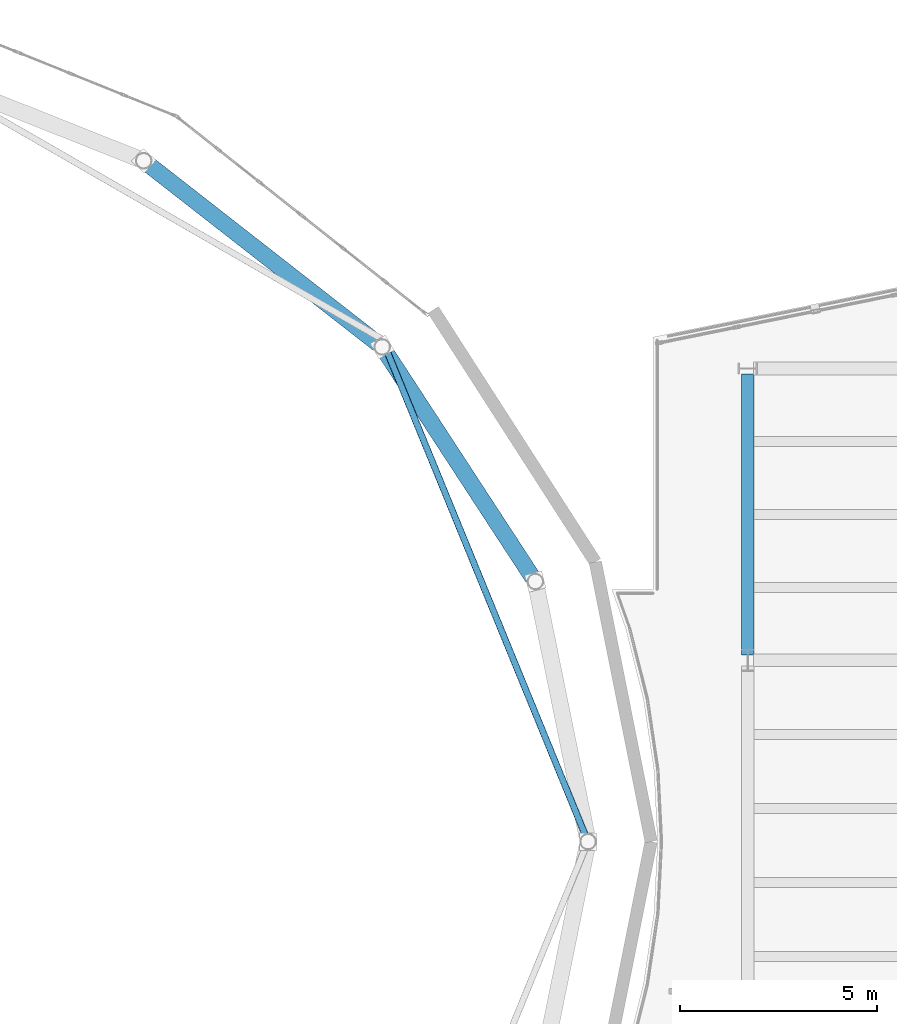
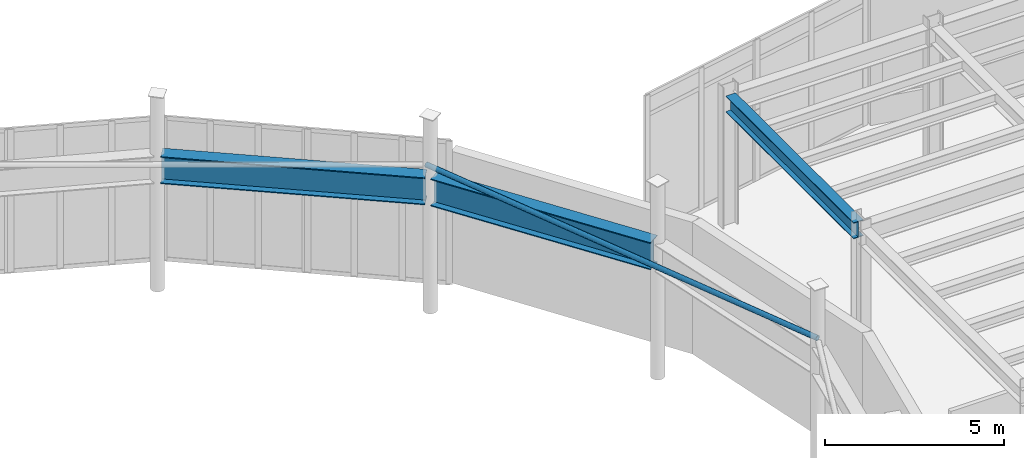
# One storey, part 38 of 91: 3 beams, 1 member.
"""IFC4 building model written with IfcOpenShell, lengths in metres."""

import ifcopenshell
import ifcopenshell.guid

model = None  # the IFC model being written
_history = None  # IfcOwnerHistory: only IFC2X3 demands one
_inside = {}  # id of a spatial element -> (the spatial element, [elements in it])
_under = {}  # id of a project, library or spatial element -> (it, [spatial elements below it])
_declared = {}  # id of a project -> (the project, [libraries it declares])
_typed = {}  # id of a type object -> (the type object, [elements of that type])
_made_of = {}  # id of a material, layer set ... -> (it, [elements and type objects made of it])


def new_model(schema):
    """Start an empty IFC model of exactly this schema.

    Asked for "IFC4X3", IfcOpenShell would pick the latest addendum, in which some entities
    have other attributes; the version numbers below select the first issue.
    IFC2X3 requires an IfcOwnerHistory on every rooted entity: one is made here for all.
    """
    global model, _history
    if schema == "IFC4X3":
        model = ifcopenshell.file(schema_version=(4, 3, 0, 0))
    else:
        model = ifcopenshell.file(schema=schema)
    _inside.clear()
    _under.clear()
    _declared.clear()
    _typed.clear()
    _made_of.clear()
    _history = None
    if model.schema == "IFC2X3":
        org = make("IfcOrganization", Name="unknown")
        user = make(
            "IfcPersonAndOrganization",
            ThePerson=make("IfcPerson", FamilyName="unknown"),
            TheOrganization=org,
        )
        app = make(
            "IfcApplication",
            ApplicationDeveloper=org,
            Version="unknown",
            ApplicationFullName="unknown",
            ApplicationIdentifier="unknown",
        )
        _history = make(
            "IfcOwnerHistory",
            OwningUser=user,
            OwningApplication=app,
            ChangeAction="ADDED",
            CreationDate=0,
        )
    return model


def make(cls, **values):
    """One entity of the class cls with the attributes given. An attribute that is None is left unset."""
    return model.create_entity(
        cls, **{name: value for name, value in values.items() if value is not None}
    )


def rooted(cls, **values):
    """An entity with a GlobalId (a new one), such as an element, a storey or a relation."""
    return make(cls, GlobalId=ifcopenshell.guid.new(), OwnerHistory=_history, **values)


def si_unit(unit_type, name, prefix=None):
    """IfcSIUnit, for example si_unit("LENGTHUNIT", "METRE", prefix="MILLI")."""
    return make("IfcSIUnit", UnitType=unit_type, Prefix=prefix, Name=name)


def assignment(units):
    """IfcUnitAssignment: the units of a project."""
    return None if units is None else make("IfcUnitAssignment", Units=units)


def point(xyz):
    """IfcCartesianPoint."""
    return None if xyz is None else make("IfcCartesianPoint", Coordinates=xyz)


def direction(xyz):
    """IfcDirection."""
    return None if xyz is None else make("IfcDirection", DirectionRatios=xyz)


def frame(location, z_axis=None, x_axis=None):
    """IfcAxis2Placement3D, a coordinate frame: its origin and axes. An axis left out is left unset."""
    return make(
        "IfcAxis2Placement3D",
        Location=point(location),
        Axis=direction(z_axis),
        RefDirection=direction(x_axis),
    )


def frame_2d(location, x_axis=None):
    """IfcAxis2Placement2D, a coordinate frame in the plane: its origin and x axis."""
    return make(
        "IfcAxis2Placement2D", Location=point(location), RefDirection=direction(x_axis)
    )


def origin():
    """The frame at (0, 0, 0) with its axes left unset."""
    return frame((0.0, 0.0, 0.0))


def origin_2d():
    """The frame at (0, 0) in the plane with its x axis left unset."""
    return frame_2d((0.0, 0.0))


def place(relative_to, where):
    """IfcLocalPlacement: puts the frame where relative to a parent placement (None: the world)."""
    return make(
        "IfcLocalPlacement", PlacementRelTo=relative_to, RelativePlacement=where
    )


def context(
    kind, dimensions, precision=None, world=None, true_north=None, identifier=None
):
    """IfcGeometricRepresentationContext, for example the 3D "Model" context."""
    return make(
        "IfcGeometricRepresentationContext",
        ContextIdentifier=identifier,
        ContextType=kind,
        CoordinateSpaceDimension=dimensions,
        Precision=precision,
        WorldCoordinateSystem=world,
        TrueNorth=true_north,
    )


def subcontext(parent, identifier, kind, view, scale=None):
    """IfcGeometricRepresentationSubContext, for example "Body" below "Model"."""
    return make(
        "IfcGeometricRepresentationSubContext",
        ContextIdentifier=identifier,
        ContextType=kind,
        ParentContext=parent,
        TargetScale=scale,
        TargetView=view,
    )


def project(units=None, contexts=None):
    """IfcProject with its units and contexts."""
    return rooted(
        "IfcProject",
        Name="project",
        RepresentationContexts=contexts,
        UnitsInContext=assignment(units),
    )


def spatial(cls, under=None, at=None, **own):
    """A site, building, storey or space (cls), placed at a placement, below another one or the project."""
    s = rooted(cls, ObjectPlacement=at, **own)
    if under is not None:
        _under.setdefault(under.id(), (under, []))[1].append(s)
    return s


def profile(cls, at=None, kind="AREA", **sizes):
    """A parametric profile (cls). Its sizes go by their IFC names, for example OverallWidth=200.0."""
    return make(cls, ProfileType=kind, Position=at, **sizes)


def hollow_circle(**sizes):
    """IfcCircleHollowProfileDef."""
    return profile("IfcCircleHollowProfileDef", **sizes)


def i_section(**sizes):
    """IfcIShapeProfileDef."""
    return profile("IfcIShapeProfileDef", **sizes)


def extrude(swept, where, along, depth):
    """IfcExtrudedAreaSolid: the profile swept, set in the frame where, extruded along a direction by depth."""
    return make(
        "IfcExtrudedAreaSolid",
        SweptArea=swept,
        Position=where,
        ExtrudedDirection=direction(along),
        Depth=depth,
    )


def shape(context_of_items, identifier, shape_type, items):
    """IfcShapeRepresentation: the items that make up one representation, for example the "Body"."""
    return make(
        "IfcShapeRepresentation",
        ContextOfItems=context_of_items,
        RepresentationIdentifier=identifier,
        RepresentationType=shape_type,
        Items=items,
    )


def material(Name=None, Category=None):
    """IfcMaterial."""
    return make("IfcMaterial", Name=Name, Category=Category)


def material_profile(
    of_material, cross_section, Name=None, Category=None, Priority=None
):
    """IfcMaterialProfile: a cross section and its material."""
    return make(
        "IfcMaterialProfile",
        Name=Name,
        Material=of_material,
        Profile=cross_section,
        Priority=Priority,
        Category=Category,
    )


def profile_set(profiles, Name=None, composite=None):
    """IfcMaterialProfileSet."""
    return make(
        "IfcMaterialProfileSet",
        Name=Name,
        MaterialProfiles=profiles,
        CompositeProfile=composite,
    )


def made_of(thing, what):
    """Note that an element or type object is made of a material, layer set ...; save() writes the relation."""
    if what is not None:
        _made_of.setdefault(what.id(), (what, []))[1].append(thing)
    return thing


def type_object(cls, material=None, **own):
    """A type object (cls), such as IfcWallType, which elements share."""
    return made_of(rooted(cls, **own), material)


def element(
    cls,
    number,
    at=None,
    inside=None,
    cuts=None,
    type_object=None,
    material=None,
    context=None,
    identifier="Body",
    shape_type=None,
    held_by="IfcProductDefinitionShape",
    body=None,
    shapes=None,
    **own,
):
    """One element of the class cls, such as IfcWall. Its Tag is "e" and its number.

    at: its placement. inside: the storey or other place that contains it. cuts: it is an
    opening in that element (IfcRelVoidsElement). A single representation is given by context,
    identifier, shape_type and body (its items); several are given by shapes. held_by: the class
    of the entity that holds the representations. save() writes the other relations.
    """
    e = rooted(cls, Tag="e%d" % number, ObjectPlacement=at, **own)
    if body is not None:
        shapes = [shape(context, identifier, shape_type, body)]
    if shapes is not None:
        e.Representation = make(held_by, Representations=shapes)
    if inside is not None:
        _inside.setdefault(inside.id(), (inside, []))[1].append(e)
    if cuts is not None:
        rooted(
            "IfcRelVoidsElement", RelatingBuildingElement=cuts, RelatedOpeningElement=e
        )
    if type_object is not None:
        _typed.setdefault(type_object.id(), (type_object, []))[1].append(e)
    return made_of(e, material)


def aggregate(whole, parts):
    """IfcRelAggregates: a whole, such as a stair, and the parts it consists of."""
    return rooted("IfcRelAggregates", RelatingObject=whole, RelatedObjects=parts)


def save(model, path):
    """Write the relations noted so far, then the file.

    IfcRelAggregates (storeys below a building ...), IfcRelContainedInSpatialStructure (elements
    in a storey), IfcRelDefinesByType, IfcRelAssociatesMaterial and IfcRelDeclares: one each for
    every whole, place, type object, material and project.
    """
    for whole, parts in _under.values():
        aggregate(whole, parts)
    for where, things in _inside.values():
        rooted(
            "IfcRelContainedInSpatialStructure",
            RelatedElements=things,
            RelatingStructure=where,
        )
    for kind, things in _typed.values():
        rooted("IfcRelDefinesByType", RelatedObjects=things, RelatingType=kind)
    for what, things in _made_of.values():
        rooted("IfcRelAssociatesMaterial", RelatedObjects=things, RelatingMaterial=what)
    for by, libraries in _declared.values():
        rooted("IfcRelDeclares", RelatingContext=by, RelatedDefinitions=libraries)
    model.write(path)


model = new_model("IFC4")

# Units and contexts
model_context = context("Model", 3, precision=1e-05, world=origin(), true_north=direction((0.0, 1.0)))
body_context = subcontext(model_context, "Body", "Model", "MODEL_VIEW")
ifc_project = project(units=[si_unit("LENGTHUNIT", "METRE"), si_unit("AREAUNIT", "SQUARE_METRE"), si_unit("VOLUMEUNIT", "CUBIC_METRE"), si_unit("PLANEANGLEUNIT", "RADIAN"), si_unit("MASSUNIT", "GRAM", prefix="KILO")], contexts=[model_context])

# Site, building, storey
site_placement = place(None, origin())
site = spatial("IfcSite", under=ifc_project, at=site_placement, CompositionType="ELEMENT")
building_placement = place(site_placement, origin())
building = spatial("IfcBuilding", under=site, at=building_placement, Name="Sollismere Congress Hotel", CompositionType="ELEMENT")
storey_placement = place(building_placement, frame((0.0, 0.0, 10.800048828125)))
storey = spatial("IfcBuildingStorey", under=building, at=storey_placement, Name="L02", CompositionType="ELEMENT", Elevation=10.800048828125)

# Beams
ifc_material_1 = material(Name="Steel ASTM A992 Grade 50", Category="steel")
ifc_material_profile_1 = material_profile(ifc_material_1, i_section(OverallWidth=0.31494140625, OverallDepth=0.551025390625, WebThickness=0.01513671875, FlangeThickness=0.0244140625, at=origin_2d()), Name="W21X122")
ifc_profile_set_1 = profile_set([ifc_material_profile_1], Name="Steel ASTM A992 Grade 50")
beam_type_1 = type_object("IfcBeamType", Name="BM-G21H", PredefinedType="BEAM", material=ifc_profile_set_1)
beam_1_placement = place(storey_placement, frame((60.39990234375, 95.139892578125, 4.224365234375), z_axis=(0.0, 1.0, 0.0), x_axis=(-1.0, 0.0, 0.0)))
element("IfcBeam", 1, at=beam_1_placement, inside=storey, type_object=beam_type_1, Name="Beam BM-L02-2088", PredefinedType="BEAM", context=body_context, shape_type="SweptSolid", body=[
    extrude(i_section(OverallWidth=0.31494140625, OverallDepth=0.551025390625, WebThickness=0.01513671875, FlangeThickness=0.0244140625, at=origin_2d()), origin(), (0.0, 0.0, 1.0), 7.1201171875),
])
ifc_material_profile_2 = material_profile(ifc_material_1, i_section(OverallWidth=0.4189453125, OverallDepth=0.927001953125, WebThickness=0.019287109375, FlangeThickness=0.031982421875, at=origin_2d()), Name="W36X231")
ifc_profile_set_2 = profile_set([ifc_material_profile_2], Name="Steel ASTM A992 Grade 50")
beam_type_2 = type_object("IfcBeamType", Name="BM-RG36", PredefinedType="SPANDREL", material=ifc_profile_set_2)
beam_2_placement = place(storey_placement, frame((54.94580078125, 97.097900390625, 4.156494140625), z_axis=(-0.546593071312, 0.837398360635, 0.0), x_axis=(-0.837398360635, -0.546593071312, 0.0)))
element("IfcBeam", 2, at=beam_2_placement, inside=storey, type_object=beam_type_2, Name="Beam BM-L02-4207", PredefinedType="SPANDREL", context=body_context, shape_type="SweptSolid", body=[
    extrude(i_section(OverallWidth=0.4189453125, OverallDepth=0.927001953125, WebThickness=0.019287109375, FlangeThickness=0.031982421875, at=origin_2d()), origin(), (0.0, 0.0, 1.0), 6.867431640625),
])
beam_3_placement = place(storey_placement, frame((51.031982421875, 103.02294921875, 4.156494140625), z_axis=(-0.788263734949, 0.615337536775, 0.0), x_axis=(-0.615337536775, -0.788263734949, 0.0)))
element("IfcBeam", 3, at=beam_3_placement, inside=storey, type_object=beam_type_2, Name="Beam BM-L02-4208", PredefinedType="SPANDREL", context=body_context, shape_type="SweptSolid", body=[
    extrude(i_section(OverallWidth=0.4189453125, OverallDepth=0.927001953125, WebThickness=0.019287109375, FlangeThickness=0.031982421875, at=origin_2d()), origin(), (0.0, 0.0, 1.0), 7.43603515625),
])

# Member
ifc_material_2 = material(Name="Steel ASTM A500 Grade C", Category="steel")
ifc_material_profile_3 = material_profile(ifc_material_2, hollow_circle(Radius=0.083984375, WallThickness=0.008056640625, at=origin_2d()), Name="CHS168X8")
ifc_profile_set_3 = profile_set([ifc_material_profile_3], Name="Steel ASTM A500 Grade C")
member_type = type_object("IfcMemberType", Name="MB-TI168", PredefinedType="STRINGER", material=ifc_profile_set_3)
member_placement = place(storey_placement, frame((56.346923828125, 90.39990234375, 4.820068359375), z_axis=(-0.379089596033, 0.925359972216, 0.0), x_axis=(-0.925359972216, -0.379089596033, 0.0)))
element("IfcMember", 4, at=member_placement, inside=storey, type_object=member_type, Name="MEM-DT-01", PredefinedType="STRINGER", context=body_context, shape_type="SweptSolid", body=[
    extrude(hollow_circle(Radius=0.083984375, WallThickness=0.008056640625, at=origin_2d()), origin(), (0.0, 0.0, 1.0), 13.77685546875),
])

save(model, "model.ifc")
